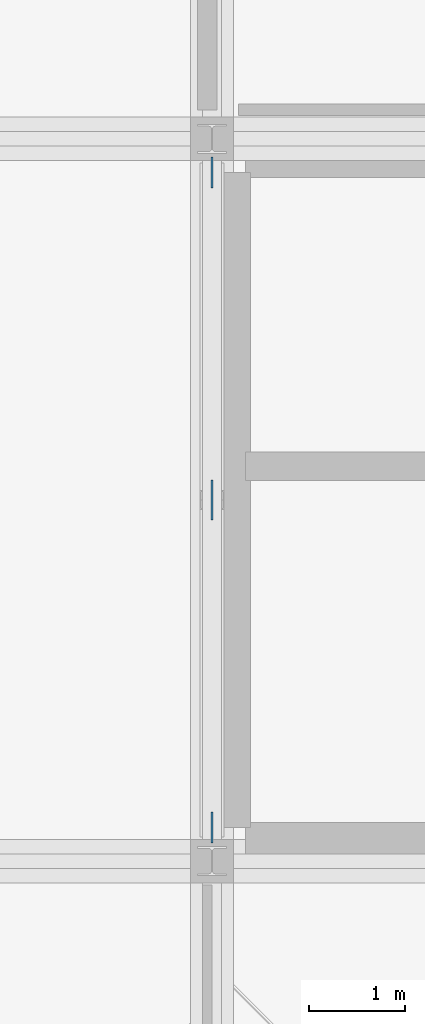
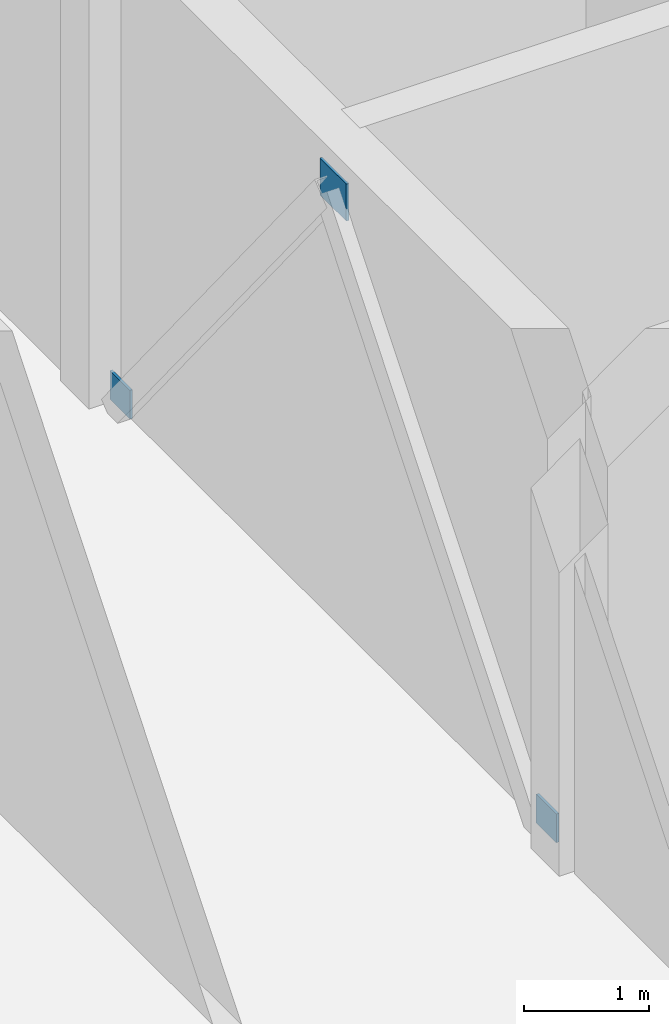
# One storey, part 97 of 131: 3 plates.
"""IFC4 building model written with IfcOpenShell, lengths in metres."""

from ifc_helpers import new_model, si_unit, direction, frame, origin, origin_2d, place, context, subcontext, project, spatial, rectangle, extrude, material, layer, layer_set, type_object, element, save


model = new_model("IFC4")

# Units and contexts
model_context = context("Model", 3, precision=1e-05, world=origin(), true_north=direction((0.0, 1.0)))
body_context = subcontext(model_context, "Body", "Model", "MODEL_VIEW")
ifc_project = project(units=[si_unit("LENGTHUNIT", "METRE"), si_unit("AREAUNIT", "SQUARE_METRE"), si_unit("VOLUMEUNIT", "CUBIC_METRE"), si_unit("PLANEANGLEUNIT", "RADIAN"), si_unit("MASSUNIT", "GRAM", prefix="KILO")], contexts=[model_context])

# Site, building, storey
site_placement = place(None, origin())
site = spatial("IfcSite", under=ifc_project, at=site_placement, CompositionType="ELEMENT")
building_placement = place(site_placement, origin())
building = spatial("IfcBuilding", under=site, at=building_placement, Name="Dalvernix Boulevard General Hospital", CompositionType="ELEMENT")
storey_placement = place(building_placement, frame((0.0, 0.0, 9.300048828125)))
storey = spatial("IfcBuildingStorey", under=building, at=storey_placement, Name="L02", CompositionType="ELEMENT", Elevation=9.300048828125)

# Plates
ifc_material = material(Name="Steel S355", Category="steel")
ifc_layer = layer(ifc_material, 0.031982421875)
ifc_layer_set = layer_set([ifc_layer], Name="Steel S355 (PLT-NP-04)")
plate_type = type_object("IfcPlateType", Name="PLT-NP-04", PredefinedType="SHEET", material=ifc_layer_set)
plate_placement = place(storey_placement, frame((157.5, 42.75, 4.02001953125), z_axis=(0.0, 0.0, 1.0), x_axis=(0.0, 1.0, 0.0)))
element("IfcPlate", 1, at=plate_placement, inside=storey, type_object=plate_type, Name="L02 brace apex gusset plate 3", PredefinedType="SHEET", context=body_context, shape_type="SweptSolid", body=[
    extrude(rectangle(XDim=0.419921875, YDim=0.02392578125, at=origin_2d()), origin(), (0.0, 0.0, 1.0), 0.360107421875),
])
for number, where, z_axis, x_axis, name in (
    (2, (157.5, 39.35009765625, 0.0), (0.0, 0.0, 1.0), (0.0, 1.0, 0.0), "L02 brace base gusset plate 3S"),
    (3, (157.5, 46.14990234375, 0.0), (0.0, 0.0, 1.0), (0.0, 1.0, 0.0), "L02 brace base gusset plate 3N"),
):
    element("IfcPlate", number, at=place(storey_placement, frame(where, z_axis=z_axis, x_axis=x_axis)), inside=storey, type_object=plate_type, Name=name, PredefinedType="SHEET", context=body_context, shape_type="SweptSolid", body=[
        extrude(rectangle(XDim=0.320068359375, YDim=0.02392578125, at=origin_2d()), origin(), (0.0, 0.0, 1.0), 0.280029296875),
    ])

save(model, "model.ifc")
